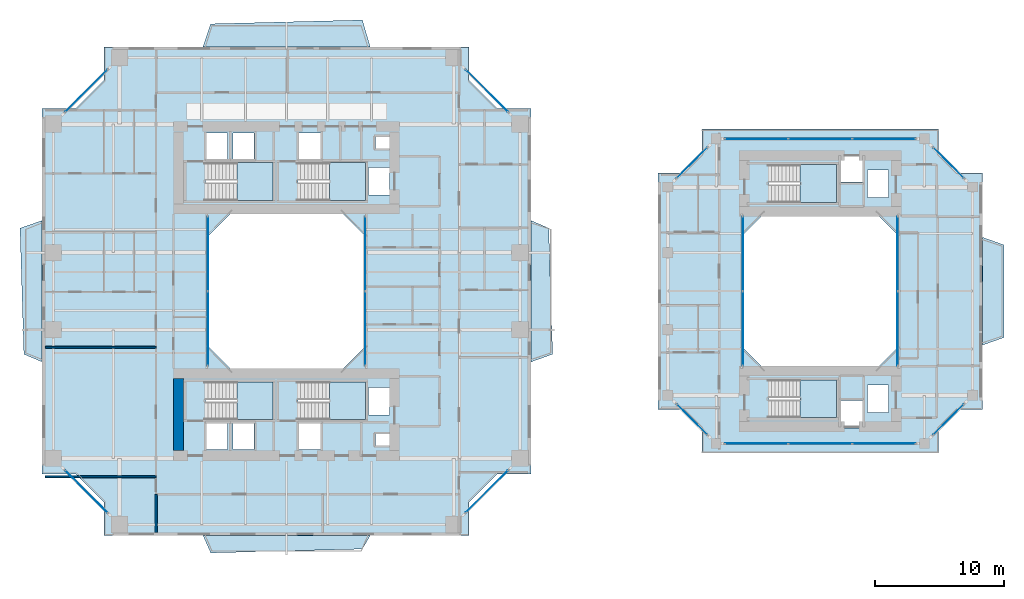
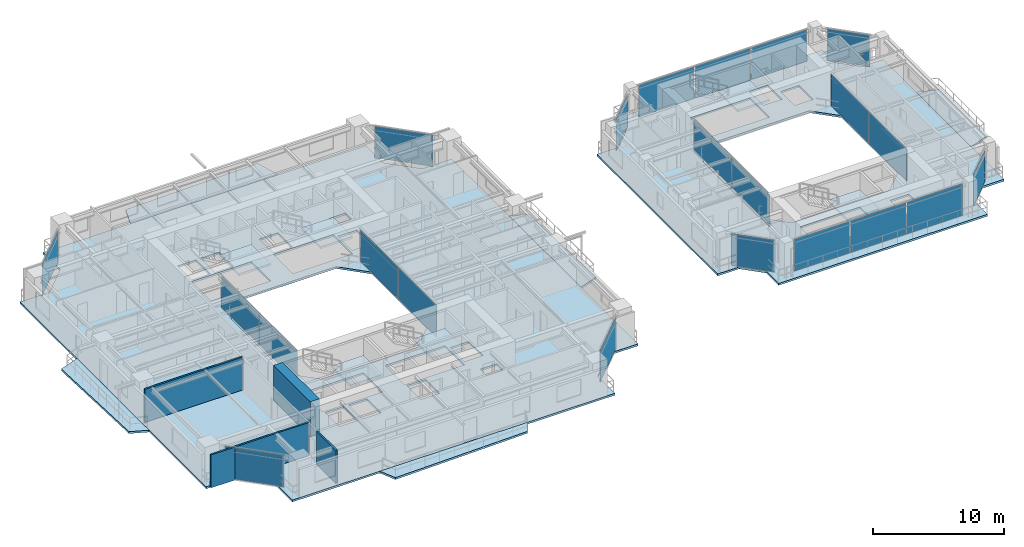
# One storey, part 12 of 23: 22 plates, 13 slabs, 4 walls, 20 elements without a shape of their own.
"""IFC4 building model written with IfcOpenShell, lengths in metres."""

from ifc_helpers import new_model, si_unit, direction, frame, frame_2d, origin, origin_2d, place, context, subcontext, project, spatial, polyline, rectangle, outline, extrude, source, transform, mapped, material, layer, layer_set, type_object, element, aggregate, save


model = new_model("IFC4")

# Units and contexts
model_context = context("Model", 3, precision=1e-05, world=origin(), true_north=direction((0.0, 1.0)))
body_context = subcontext(model_context, "Body", "Model", "MODEL_VIEW")
ifc_project = project(units=[si_unit("LENGTHUNIT", "METRE"), si_unit("AREAUNIT", "SQUARE_METRE"), si_unit("VOLUMEUNIT", "CUBIC_METRE"), si_unit("PLANEANGLEUNIT", "RADIAN"), si_unit("MASSUNIT", "GRAM", prefix="KILO"), si_unit("THERMODYNAMICTEMPERATUREUNIT", "KELVIN"), si_unit("POWERUNIT", "WATT")], contexts=[model_context])

# Site, building, storey
site_placement = place(None, origin())
site = spatial("IfcSite", under=ifc_project, at=site_placement, CompositionType="ELEMENT")
building_placement = place(site_placement, origin())
building = spatial("IfcBuilding", under=site, at=building_placement, Name="Qiaomeng Ring Towers", CompositionType="ELEMENT")
storey_placement = place(building_placement, frame((0.0, 0.0, 79.5)))
storey = spatial("IfcBuildingStorey", under=building, at=storey_placement, Name="L22", CompositionType="ELEMENT", Elevation=79.5)

# Slabs
ifc_material_1 = material(Name="Concrete C40", Category="concrete")
ifc_layer_1 = layer(ifc_material_1, 0.179931640625, Name="Concrete C40")
ifc_layer_set_1 = layer_set([ifc_layer_1], Name="Concrete C40")
slab_type_1 = type_object("IfcSlabType", Name="STR-SL-180", PredefinedType="FLOOR", material=ifc_layer_set_1)
slab_1_placement = place(storey_placement, frame((0.0, 0.0, -0.179931640625)))
element("IfcSlab", 1, at=slab_1_placement, inside=storey, type_object=slab_type_1, Name="L22 Tower 1 Annular Floor Slab", PredefinedType="FLOOR", context=body_context, shape_type="SweptSolid", body=[
    extrude(outline(polyline([(4.800048828125, 4.0), (33.199951171875, 4.0), (33.199951171875, 6.60009765625), (35.39990234375, 8.800048828125), (38.0, 8.800048828125), (38.0, 37.199951171875), (35.39990234375, 37.199951171875), (33.199951171875, 39.39990234375), (33.199951171875, 42.0), (4.800048828125, 42.0), (4.800048828125, 39.39990234375), (2.60009765625, 37.199951171875), (0.0, 37.199951171875), (0.0, 8.800048828125), (2.60009765625, 8.800048828125), (4.800048828125, 6.60009765625), (4.800048828125, 4.0)]), holes=[polyline([(12.780029296875, 10.679931640625), (12.780029296875, 12.820068359375), (14.419921875, 12.820068359375), (14.419921875, 10.679931640625), (12.780029296875, 10.679931640625)]), polyline([(14.830078125, 12.820068359375), (16.469970703125, 12.820068359375), (16.469970703125, 10.679931640625), (14.830078125, 10.679931640625), (14.830078125, 12.820068359375)]), polyline([(12.679931640625, 15.949951171875), (17.949951171875, 15.949951171875), (17.949951171875, 13.010009765625), (12.679931640625, 13.010009765625), (12.679931640625, 15.949951171875)]), polyline([(25.199951171875, 27.199951171875), (25.199951171875, 18.800048828125), (23.199951171875, 16.800048828125), (14.800048828125, 16.800048828125), (12.800048828125, 18.800048828125), (12.800048828125, 27.199951171875), (14.800048828125, 29.199951171875), (23.199951171875, 29.199951171875), (25.199951171875, 27.199951171875)]), polyline([(12.679931640625, 32.989990234375), (17.949951171875, 32.989990234375), (17.949951171875, 30.050048828125), (12.679931640625, 30.050048828125), (12.679931640625, 32.989990234375)]), polyline([(12.780029296875, 35.320068359375), (14.419921875, 35.320068359375), (14.419921875, 33.179931640625), (12.780029296875, 33.179931640625), (12.780029296875, 35.320068359375)]), polyline([(14.830078125, 35.320068359375), (16.469970703125, 35.320068359375), (16.469970703125, 33.179931640625), (14.830078125, 33.179931640625), (14.830078125, 35.320068359375)]), polyline([(19.97998046875, 35.320068359375), (21.6201171875, 35.320068359375), (21.6201171875, 33.179931640625), (19.97998046875, 33.179931640625), (19.97998046875, 35.320068359375)]), polyline([(25.919921875, 11.89990234375), (27.360107421875, 11.89990234375), (27.360107421875, 11.0), (25.919921875, 11.0), (25.919921875, 11.89990234375)]), polyline([(19.97998046875, 12.820068359375), (21.6201171875, 12.820068359375), (21.6201171875, 10.679931640625), (19.97998046875, 10.679931640625), (19.97998046875, 12.820068359375)]), polyline([(25.360107421875, 15.52001953125), (27.0, 15.52001953125), (27.0, 13.3798828125), (25.360107421875, 13.3798828125), (25.360107421875, 15.52001953125)]), polyline([(19.8798828125, 15.949951171875), (25.14990234375, 15.949951171875), (25.14990234375, 13.010009765625), (19.8798828125, 13.010009765625), (19.8798828125, 15.949951171875)]), polyline([(19.8798828125, 32.989990234375), (25.14990234375, 32.989990234375), (25.14990234375, 30.050048828125), (19.8798828125, 30.050048828125), (19.8798828125, 32.989990234375)]), polyline([(25.360107421875, 32.6201171875), (27.0, 32.6201171875), (27.0, 30.47998046875), (25.360107421875, 30.47998046875), (25.360107421875, 32.6201171875)]), polyline([(25.919921875, 35.0), (27.360107421875, 35.0), (27.360107421875, 34.10009765625), (25.919921875, 34.10009765625), (25.919921875, 35.0)])]), origin(), (0.0, 0.0, 1.0), 0.179931640625),
])
slab_2_placement = place(storey_placement, frame((0.0, 0.0, -0.179931640625)))
element("IfcSlab", 2, at=slab_2_placement, inside=storey, type_object=slab_type_1, Name="L22 Companion Tower 2 Annular Floor Slab", PredefinedType="FLOOR", context=body_context, shape_type="SweptSolid", body=[
    extrude(outline(polyline([(51.300048828125, 10.39990234375), (69.699951171875, 10.39990234375), (69.699951171875, 12.300048828125), (71.199951171875, 13.800048828125), (73.10009765625, 13.800048828125), (73.10009765625, 32.199951171875), (71.199951171875, 32.199951171875), (69.699951171875, 33.699951171875), (69.699951171875, 35.60009765625), (51.300048828125, 35.60009765625), (51.300048828125, 33.699951171875), (49.800048828125, 32.199951171875), (47.89990234375, 32.199951171875), (47.89990234375, 13.800048828125), (49.800048828125, 13.800048828125), (51.300048828125, 12.300048828125), (51.300048828125, 10.39990234375)]), holes=[polyline([(62.1298828125, 12.3798828125), (62.1298828125, 14.52001953125), (63.77001953125, 14.52001953125), (63.77001953125, 12.3798828125), (62.1298828125, 12.3798828125)]), polyline([(56.47998046875, 13.159912109375), (56.47998046875, 16.10009765625), (61.75, 16.10009765625), (61.75, 13.159912109375), (56.47998046875, 13.159912109375)]), polyline([(64.179931640625, 13.580078125), (64.179931640625, 15.719970703125), (65.820068359375, 15.719970703125), (65.820068359375, 13.580078125), (64.179931640625, 13.580078125)]), polyline([(64.800048828125, 29.10009765625), (66.60009765625, 27.300048828125), (66.60009765625, 18.699951171875), (64.800048828125, 16.89990234375), (56.199951171875, 16.89990234375), (54.39990234375, 18.699951171875), (54.39990234375, 27.300048828125), (56.199951171875, 29.10009765625), (64.800048828125, 29.10009765625)]), polyline([(64.179931640625, 30.280029296875), (64.179931640625, 32.419921875), (65.820068359375, 32.419921875), (65.820068359375, 30.280029296875), (64.179931640625, 30.280029296875)]), polyline([(56.47998046875, 32.840087890625), (61.75, 32.840087890625), (61.75, 29.89990234375), (56.47998046875, 29.89990234375), (56.47998046875, 32.840087890625)]), polyline([(62.1298828125, 33.6201171875), (63.77001953125, 33.6201171875), (63.77001953125, 31.47998046875), (62.1298828125, 31.47998046875), (62.1298828125, 33.6201171875)])]), origin(), (0.0, 0.0, 1.0), 0.179931640625),
])
ifc_layer_2 = layer(ifc_material_1, 0.179931640625, Name="Concrete C40")
ifc_layer_set_2 = layer_set([ifc_layer_2], Name="Concrete C40")
slab_type_2 = type_object("IfcSlabType", Name="STR-SL-BAL", PredefinedType="FLOOR", material=ifc_layer_set_2)
slab_3_placement = place(storey_placement, frame((0.0, 0.0, -0.179931640625)))
element("IfcSlab", 3, at=slab_3_placement, inside=storey, type_object=slab_type_2, Name="L22 Tower 1 S Faceted Balcony Slab", PredefinedType="FLOOR", context=body_context, shape_type="SweptSolid", body=[
    extrude(outline(polyline([(24.89990234375, 2.949951171875), (13.10009765625, 2.64990234375), (12.5, 4.0), (25.5, 4.0), (24.89990234375, 2.949951171875)])), origin(), (0.0, 0.0, 1.0), 0.179931640625),
])
slab_4_placement = place(storey_placement, frame((0.0, 0.0, -0.179931640625)))
element("IfcSlab", 4, at=slab_4_placement, inside=storey, type_object=slab_type_2, Name="L22 Tower 1 E Faceted Balcony Slab", PredefinedType="FLOOR", context=body_context, shape_type="SweptSolid", body=[
    extrude(outline(polyline([(39.389892578125, 27.89990234375), (39.68994140625, 18.10009765625), (38.0, 17.5), (38.0, 28.5), (39.389892578125, 27.89990234375)])), origin(), (0.0, 0.0, 1.0), 0.179931640625),
])
slab_5_placement = place(storey_placement, frame((0.0, 0.0, -0.179931640625)))
element("IfcSlab", 5, at=slab_5_placement, inside=storey, type_object=slab_type_2, Name="L22 Tower 1 N Faceted Balcony Slab", PredefinedType="FLOOR", context=body_context, shape_type="SweptSolid", body=[
    extrude(outline(polyline([(12.5, 42.0), (13.10009765625, 43.7900390625), (24.89990234375, 44.090087890625), (25.5, 42.0), (12.5, 42.0)])), origin(), (0.0, 0.0, 1.0), 0.179931640625),
])
slab_6_placement = place(storey_placement, frame((0.0, 0.0, -0.179931640625)))
element("IfcSlab", 6, at=slab_6_placement, inside=storey, type_object=slab_type_2, Name="L22 Tower 1 W Faceted Balcony Slab", PredefinedType="FLOOR", context=body_context, shape_type="SweptSolid", body=[
    extrude(outline(polyline([(0.0, 17.5), (-1.429931640625, 18.10009765625), (-1.72998046875, 27.89990234375), (0.0, 28.5), (0.0, 17.5)])), origin(), (0.0, 0.0, 1.0), 0.179931640625),
])
slab_7_placement = place(storey_placement, frame((0.0, 0.0, -0.179931640625)))
element("IfcSlab", 7, at=slab_7_placement, inside=storey, type_object=slab_type_2, Name="L22 Companion East Faceted Balcony Slab", PredefinedType="FLOOR", context=body_context, shape_type="SweptSolid", body=[
    extrude(outline(polyline([(74.7900390625, 26.60009765625), (74.7900390625, 19.39990234375), (73.10009765625, 18.800048828125), (73.10009765625, 27.199951171875), (74.7900390625, 26.60009765625)])), origin(), (0.0, 0.0, 1.0), 0.179931640625),
])

# Stair, slab
ifc_material_2 = material(Name="Precast concrete C40", Category="concrete")
stair_type = type_object("IfcStairType", Name="ARC-ST-325", PredefinedType="HALF_TURN_STAIR", material=ifc_material_2)
stair_1_placement = place(storey_placement, origin())
stair_1 = element("IfcStair", 8, at=stair_1_placement, inside=storey, type_object=stair_type, Name="L22 Tower 1 North Stair 1", PredefinedType="HALF_TURN_STAIR")
ifc_layer_3 = layer(ifc_material_1, 0.199951171875, Name="Concrete C40")
ifc_layer_set_3 = layer_set([ifc_layer_3], Name="Concrete C40")
slab_type_3 = type_object("IfcSlabType", Name="STR-SL-LANDING", PredefinedType="LANDING", material=ifc_layer_set_3)
slab_8_placement = place(storey_placement, frame((0.0, 0.0, 1.425048828125)))
slab_8 = element("IfcSlab", 9, at=slab_8_placement, type_object=slab_type_3, Name="ST1 landing 1", PredefinedType="LANDING", context=body_context, shape_type="SweptSolid", body=[
    extrude(outline(polyline([(15.139892578125, 30.050048828125), (17.949951171875, 30.050048828125), (17.949951171875, 32.989990234375), (15.139892578125, 32.989990234375), (15.139892578125, 30.050048828125)])), origin(), (0.0, 0.0, 1.0), 0.199951171875),
])
aggregate(stair_1, [slab_8])

stair_2_placement = place(storey_placement, origin())
stair_2 = element("IfcStair", 10, at=stair_2_placement, inside=storey, type_object=stair_type, Name="L22 Tower 1 North Stair 2", PredefinedType="HALF_TURN_STAIR")
slab_9_placement = place(storey_placement, frame((0.0, 0.0, 1.425048828125)))
slab_9 = element("IfcSlab", 11, at=slab_9_placement, type_object=slab_type_3, Name="ST2 landing 1", PredefinedType="LANDING", context=body_context, shape_type="SweptSolid", body=[
    extrude(outline(polyline([(22.340087890625, 30.050048828125), (25.14990234375, 30.050048828125), (25.14990234375, 32.989990234375), (22.340087890625, 32.989990234375), (22.340087890625, 30.050048828125)])), origin(), (0.0, 0.0, 1.0), 0.199951171875),
])
aggregate(stair_2, [slab_9])

stair_3_placement = place(storey_placement, origin())
stair_3 = element("IfcStair", 12, at=stair_3_placement, inside=storey, type_object=stair_type, Name="L22 Tower 1 South Stair 3", PredefinedType="HALF_TURN_STAIR")
slab_10_placement = place(storey_placement, frame((0.0, 0.0, 1.425048828125)))
slab_10 = element("IfcSlab", 13, at=slab_10_placement, type_object=slab_type_3, Name="ST3 landing 1", PredefinedType="LANDING", context=body_context, shape_type="SweptSolid", body=[
    extrude(outline(polyline([(15.139892578125, 13.010009765625), (17.949951171875, 13.010009765625), (17.949951171875, 15.949951171875), (15.139892578125, 15.949951171875), (15.139892578125, 13.010009765625)])), origin(), (0.0, 0.0, 1.0), 0.199951171875),
])
aggregate(stair_3, [slab_10])

stair_4_placement = place(storey_placement, origin())
stair_4 = element("IfcStair", 14, at=stair_4_placement, inside=storey, type_object=stair_type, Name="L22 Tower 1 South Stair 4", PredefinedType="HALF_TURN_STAIR")
slab_11_placement = place(storey_placement, frame((0.0, 0.0, 1.425048828125)))
slab_11 = element("IfcSlab", 15, at=slab_11_placement, type_object=slab_type_3, Name="ST4 landing 1", PredefinedType="LANDING", context=body_context, shape_type="SweptSolid", body=[
    extrude(outline(polyline([(22.340087890625, 13.010009765625), (25.14990234375, 13.010009765625), (25.14990234375, 15.949951171875), (22.340087890625, 15.949951171875), (22.340087890625, 13.010009765625)])), origin(), (0.0, 0.0, 1.0), 0.199951171875),
])
aggregate(stair_4, [slab_11])

stair_5_placement = place(storey_placement, origin())
stair_5 = element("IfcStair", 16, at=stair_5_placement, inside=storey, type_object=stair_type, Name="L22 Companion North Stair 5", PredefinedType="HALF_TURN_STAIR")
slab_12_placement = place(storey_placement, frame((0.0, 0.0, 1.425048828125)))
slab_12 = element("IfcSlab", 17, at=slab_12_placement, type_object=slab_type_3, Name="ST5 landing 1", PredefinedType="LANDING", context=body_context, shape_type="SweptSolid", body=[
    extrude(outline(polyline([(58.93994140625, 29.89990234375), (61.75, 29.89990234375), (61.75, 32.840087890625), (58.93994140625, 32.840087890625), (58.93994140625, 29.89990234375)])), origin(), (0.0, 0.0, 1.0), 0.199951171875),
])
aggregate(stair_5, [slab_12])

stair_6_placement = place(storey_placement, origin())
stair_6 = element("IfcStair", 18, at=stair_6_placement, inside=storey, type_object=stair_type, Name="L22 Companion South Stair 6", PredefinedType="HALF_TURN_STAIR")
slab_13_placement = place(storey_placement, frame((0.0, 0.0, 1.425048828125)))
slab_13 = element("IfcSlab", 19, at=slab_13_placement, type_object=slab_type_3, Name="ST6 landing 1", PredefinedType="LANDING", context=body_context, shape_type="SweptSolid", body=[
    extrude(outline(polyline([(58.93994140625, 13.159912109375), (61.75, 13.159912109375), (61.75, 16.10009765625), (58.93994140625, 16.10009765625), (58.93994140625, 13.159912109375)])), origin(), (0.0, 0.0, 1.0), 0.199951171875),
])
aggregate(stair_6, [slab_13])

# Curtain wall, plates
ifc_material_3 = material(Name="Fluorocarbon dark-grey aluminium", Category="aluminium")
ifc_layer_4 = layer(ifc_material_3, 0.139892578125, Name="Fluorocarbon dark-grey aluminium")
ifc_layer_set_4 = layer_set([ifc_layer_4], Name="Fluorocarbon dark-grey aluminium")
curtain_wall_type_1 = type_object("IfcCurtainWallType", Name="ARC-CW-4", PredefinedType="NOTDEFINED", material=ifc_layer_set_4)
curtain_wall_1_placement = place(storey_placement, origin())
curtain_wall_1 = element("IfcCurtainWall", 20, at=curtain_wall_1_placement, inside=storey, type_object=curtain_wall_type_1, Name="L22 Curtain Wall CW4", PredefinedType="NOTDEFINED")
ifc_material_4 = material(Name="Low-E dark-grey laminated double glazing", Category="glass")
ifc_layer_5 = layer(ifc_material_4, 0.028076171875, Name="Low-E dark-grey laminated double glazing")
ifc_layer_set_5 = layer_set([ifc_layer_5], Name="Low-E dark-grey laminated double glazing")
plate_type = type_object("IfcPlateType", Name="ARC-CWP-DARK", PredefinedType="CURTAIN_PANEL", material=ifc_layer_set_5)
shared_shape_1 = source(origin(), body_context, "Body", "SweptSolid", [
    extrude(rectangle(XDim=5.75244140625, YDim=0.028076171875, at=origin_2d()), origin(), (0.0, 0.0, 1.0), 2.93994140625),
])
plate_1_placement = place(storey_placement, frame((12.8798828125, 20.09130859375, 0.06494140625), z_axis=(0.0, 0.0, 1.0), x_axis=(0.0, 1.0, 0.0)))
plate_1 = element("IfcPlate", 21, at=plate_1_placement, type_object=plate_type, Name="CW4 panel 1.1", PredefinedType="CURTAIN_PANEL", context=body_context, shape_type="MappedRepresentation", body=[
    mapped(shared_shape_1, transform((0.0, 0.0, 0.0), x_axis=(1.0, 0.0, 0.0), y_axis=(0.0, 1.0, 0.0), z_axis=(0.0, 0.0, 1.0), scale=1.0)),
])
plate_2_placement = place(storey_placement, frame((12.8798828125, 25.90869140625, 0.06494140625), z_axis=(0.0, 0.0, 1.0), x_axis=(0.0, 1.0, 0.0)))
plate_2 = element("IfcPlate", 22, at=plate_2_placement, type_object=plate_type, Name="CW4 panel 2.1", PredefinedType="CURTAIN_PANEL", context=body_context, shape_type="MappedRepresentation", body=[
    mapped(shared_shape_1, transform((0.0, 0.0, 0.0), x_axis=(1.0, 0.0, 0.0), y_axis=(0.0, 1.0, 0.0), z_axis=(0.0, 0.0, 1.0), scale=1.0)),
])
aggregate(curtain_wall_1, [plate_1, plate_2])

curtain_wall_2_placement = place(storey_placement, origin())
curtain_wall_2 = element("IfcCurtainWall", 23, at=curtain_wall_2_placement, inside=storey, type_object=curtain_wall_type_1, Name="L22 Curtain Wall CW4", PredefinedType="NOTDEFINED")
plate_3_placement = place(storey_placement, frame((25.1201171875, 20.09130859375, 0.06494140625), z_axis=(0.0, 0.0, 1.0), x_axis=(0.0, 1.0, 0.0)))
plate_3 = element("IfcPlate", 24, at=plate_3_placement, type_object=plate_type, Name="CW4 panel 1.1", PredefinedType="CURTAIN_PANEL", context=body_context, shape_type="MappedRepresentation", body=[
    mapped(shared_shape_1, transform((0.0, 0.0, 0.0), x_axis=(1.0, 0.0, 0.0), y_axis=(0.0, 1.0, 0.0), z_axis=(0.0, 0.0, 1.0), scale=1.0)),
])
plate_4_placement = place(storey_placement, frame((25.1201171875, 25.90869140625, 0.06494140625), z_axis=(0.0, 0.0, 1.0), x_axis=(0.0, 1.0, 0.0)))
plate_4 = element("IfcPlate", 25, at=plate_4_placement, type_object=plate_type, Name="CW4 panel 2.1", PredefinedType="CURTAIN_PANEL", context=body_context, shape_type="MappedRepresentation", body=[
    mapped(shared_shape_1, transform((0.0, 0.0, 0.0), x_axis=(1.0, 0.0, 0.0), y_axis=(0.0, 1.0, 0.0), z_axis=(0.0, 0.0, 1.0), scale=1.0)),
])
aggregate(curtain_wall_2, [plate_3, plate_4])

curtain_wall_3_placement = place(storey_placement, origin())
curtain_wall_3 = element("IfcCurtainWall", 26, at=curtain_wall_3_placement, inside=storey, type_object=curtain_wall_type_1, Name="L22 Curtain Wall CW4", PredefinedType="NOTDEFINED")
plate_5_placement = place(storey_placement, frame((54.47998046875, 20.09130859375, 0.06494140625), z_axis=(0.0, 0.0, 1.0), x_axis=(0.0, 1.0, 0.0)))
plate_5 = element("IfcPlate", 27, at=plate_5_placement, type_object=plate_type, Name="CW4 panel 1.1", PredefinedType="CURTAIN_PANEL", context=body_context, shape_type="MappedRepresentation", body=[
    mapped(shared_shape_1, transform((0.0, 0.0, 0.0), x_axis=(1.0, 0.0, 0.0), y_axis=(0.0, 1.0, 0.0), z_axis=(0.0, 0.0, 1.0), scale=1.0)),
])
plate_6_placement = place(storey_placement, frame((54.47998046875, 25.90869140625, 0.06494140625), z_axis=(0.0, 0.0, 1.0), x_axis=(0.0, 1.0, 0.0)))
plate_6 = element("IfcPlate", 28, at=plate_6_placement, type_object=plate_type, Name="CW4 panel 2.1", PredefinedType="CURTAIN_PANEL", context=body_context, shape_type="MappedRepresentation", body=[
    mapped(shared_shape_1, transform((0.0, 0.0, 0.0), x_axis=(1.0, 0.0, 0.0), y_axis=(0.0, 1.0, 0.0), z_axis=(0.0, 0.0, 1.0), scale=1.0)),
])
aggregate(curtain_wall_3, [plate_5, plate_6])

curtain_wall_4_placement = place(storey_placement, origin())
curtain_wall_4 = element("IfcCurtainWall", 29, at=curtain_wall_4_placement, inside=storey, type_object=curtain_wall_type_1, Name="L22 Curtain Wall CW4", PredefinedType="NOTDEFINED")
plate_7_placement = place(storey_placement, frame((66.52001953125, 20.09130859375, 0.06494140625), z_axis=(0.0, 0.0, 1.0), x_axis=(0.0, 1.0, 0.0)))
plate_7 = element("IfcPlate", 30, at=plate_7_placement, type_object=plate_type, Name="CW4 panel 1.1", PredefinedType="CURTAIN_PANEL", context=body_context, shape_type="MappedRepresentation", body=[
    mapped(shared_shape_1, transform((0.0, 0.0, 0.0), x_axis=(1.0, 0.0, 0.0), y_axis=(0.0, 1.0, 0.0), z_axis=(0.0, 0.0, 1.0), scale=1.0)),
])
plate_8_placement = place(storey_placement, frame((66.52001953125, 25.90869140625, 0.06494140625), z_axis=(0.0, 0.0, 1.0), x_axis=(0.0, 1.0, 0.0)))
plate_8 = element("IfcPlate", 31, at=plate_8_placement, type_object=plate_type, Name="CW4 panel 2.1", PredefinedType="CURTAIN_PANEL", context=body_context, shape_type="MappedRepresentation", body=[
    mapped(shared_shape_1, transform((0.0, 0.0, 0.0), x_axis=(1.0, 0.0, 0.0), y_axis=(0.0, 1.0, 0.0), z_axis=(0.0, 0.0, 1.0), scale=1.0)),
])
aggregate(curtain_wall_4, [plate_7, plate_8])

# Curtain wall, plate
ifc_layer_6 = layer(ifc_material_3, 0.159912109375, Name="Fluorocarbon dark-grey aluminium")
ifc_layer_set_6 = layer_set([ifc_layer_6], Name="Fluorocarbon dark-grey aluminium")
curtain_wall_type_2 = type_object("IfcCurtainWallType", Name="ARC-CW-2", PredefinedType="NOTDEFINED", material=ifc_layer_set_6)
curtain_wall_5_placement = place(storey_placement, origin())
curtain_wall_5 = element("IfcCurtainWall", 32, at=curtain_wall_5_placement, inside=storey, type_object=curtain_wall_type_2, Name="L22 Curtain Wall CW2", PredefinedType="NOTDEFINED")
shared_shape_2 = source(origin(), body_context, "Body", "SweptSolid", [
    extrude(rectangle(XDim=4.6259765625, YDim=0.028076171875, at=origin_2d()), origin(), (0.0, 0.0, 1.0), 2.93994140625),
])
plate_9_placement = place(storey_placement, frame((34.574951171875, 7.425048828125, 0.06494140625), z_axis=(0.0, 0.0, 1.0), x_axis=(0.707106781187, 0.707106781187, 0.0)))
plate_9 = element("IfcPlate", 33, at=plate_9_placement, type_object=plate_type, Name="CW2 panel 1.1", PredefinedType="CURTAIN_PANEL", context=body_context, shape_type="MappedRepresentation", body=[
    mapped(shared_shape_2, transform((0.0, 0.0, 0.0), x_axis=(1.0, 0.0, 0.0), y_axis=(0.0, 1.0, 0.0), z_axis=(0.0, 0.0, 1.0), scale=1.0)),
])
aggregate(curtain_wall_5, [plate_9])

curtain_wall_6_placement = place(storey_placement, origin())
curtain_wall_6 = element("IfcCurtainWall", 34, at=curtain_wall_6_placement, inside=storey, type_object=curtain_wall_type_2, Name="L22 Curtain Wall CW2", PredefinedType="NOTDEFINED")
plate_10_placement = place(storey_placement, frame((34.574951171875, 38.574951171875, 0.06494140625), z_axis=(0.0, 0.0, 1.0), x_axis=(-0.707106781187, 0.707106781187, 0.0)))
plate_10 = element("IfcPlate", 35, at=plate_10_placement, type_object=plate_type, Name="CW2 panel 1.1", PredefinedType="CURTAIN_PANEL", context=body_context, shape_type="MappedRepresentation", body=[
    mapped(shared_shape_2, transform((0.0, 0.0, 0.0), x_axis=(1.0, 0.0, 0.0), y_axis=(0.0, 1.0, 0.0), z_axis=(0.0, 0.0, 1.0), scale=1.0)),
])
aggregate(curtain_wall_6, [plate_10])

curtain_wall_7_placement = place(storey_placement, origin())
curtain_wall_7 = element("IfcCurtainWall", 36, at=curtain_wall_7_placement, inside=storey, type_object=curtain_wall_type_2, Name="L22 Curtain Wall CW2", PredefinedType="NOTDEFINED")
plate_11_placement = place(storey_placement, frame((3.425048828125, 38.574951171875, 0.06494140625), z_axis=(0.0, 0.0, 1.0), x_axis=(-0.707106781187, -0.707106781187, 0.0)))
plate_11 = element("IfcPlate", 37, at=plate_11_placement, type_object=plate_type, Name="CW2 panel 1.1", PredefinedType="CURTAIN_PANEL", context=body_context, shape_type="MappedRepresentation", body=[
    mapped(shared_shape_2, transform((0.0, 0.0, 0.0), x_axis=(1.0, 0.0, 0.0), y_axis=(0.0, 1.0, 0.0), z_axis=(0.0, 0.0, 1.0), scale=1.0)),
])
aggregate(curtain_wall_7, [plate_11])

curtain_wall_8_placement = place(storey_placement, origin())
curtain_wall_8 = element("IfcCurtainWall", 38, at=curtain_wall_8_placement, inside=storey, type_object=curtain_wall_type_2, Name="L22 Curtain Wall CW2", PredefinedType="NOTDEFINED")
plate_12_placement = place(storey_placement, frame((3.425048828125, 7.425048828125, 0.06494140625), z_axis=(0.0, 0.0, 1.0), x_axis=(0.707106781187, -0.707106781187, 0.0)))
plate_12 = element("IfcPlate", 39, at=plate_12_placement, type_object=plate_type, Name="CW2 panel 1.1", PredefinedType="CURTAIN_PANEL", context=body_context, shape_type="MappedRepresentation", body=[
    mapped(shared_shape_2, transform((0.0, 0.0, 0.0), x_axis=(1.0, 0.0, 0.0), y_axis=(0.0, 1.0, 0.0), z_axis=(0.0, 0.0, 1.0), scale=1.0)),
])
aggregate(curtain_wall_8, [plate_12])

# Curtain wall, plates
ifc_layer_7 = layer(ifc_material_3, 0.14990234375, Name="Fluorocarbon dark-grey aluminium")
ifc_layer_set_7 = layer_set([ifc_layer_7], Name="Fluorocarbon dark-grey aluminium")
curtain_wall_type_3 = type_object("IfcCurtainWallType", Name="ARC-CW-5", PredefinedType="NOTDEFINED", material=ifc_layer_set_7)
curtain_wall_9_placement = place(storey_placement, origin())
curtain_wall_9 = element("IfcCurtainWall", 40, at=curtain_wall_9_placement, inside=storey, type_object=curtain_wall_type_3, Name="L22 Curtain Wall CW5", PredefinedType="NOTDEFINED")
shared_shape_3 = source(origin(), body_context, "Body", "SweptSolid", [
    extrude(rectangle(XDim=4.868408203125, YDim=0.028076171875, at=origin_2d()), origin(), (0.0, 0.0, 1.0), 2.93994140625),
])
plate_13_placement = place(storey_placement, frame((55.544189453125, 34.85009765625, 0.06494140625), z_axis=(0.0, 0.0, 1.0), x_axis=(1.0, 0.0, 0.0)))
plate_13 = element("IfcPlate", 41, at=plate_13_placement, type_object=plate_type, Name="CW5 panel 1.1", PredefinedType="CURTAIN_PANEL", context=body_context, shape_type="MappedRepresentation", body=[
    mapped(shared_shape_3, transform((0.0, 0.0, 0.0), x_axis=(1.0, 0.0, 0.0), y_axis=(0.0, 1.0, 0.0), z_axis=(0.0, 0.0, 1.0), scale=1.0)),
])
plate_14_placement = place(storey_placement, frame((65.455810546875, 34.85009765625, 0.06494140625), z_axis=(0.0, 0.0, 1.0), x_axis=(1.0, 0.0, 0.0)))
plate_14 = element("IfcPlate", 42, at=plate_14_placement, type_object=plate_type, Name="CW5 panel 3.1", PredefinedType="CURTAIN_PANEL", context=body_context, shape_type="MappedRepresentation", body=[
    mapped(shared_shape_3, transform((0.0, 0.0, 0.0), x_axis=(1.0, 0.0, 0.0), y_axis=(0.0, 1.0, 0.0), z_axis=(0.0, 0.0, 1.0), scale=1.0)),
])

curtain_wall_10_placement = place(storey_placement, origin())
curtain_wall_10 = element("IfcCurtainWall", 43, at=curtain_wall_10_placement, inside=storey, type_object=curtain_wall_type_3, Name="L22 Curtain Wall CW5", PredefinedType="NOTDEFINED")
plate_15_placement = place(storey_placement, frame((55.544189453125, 11.14990234375, 0.06494140625), z_axis=(0.0, 0.0, 1.0), x_axis=(1.0, 0.0, 0.0)))
plate_15 = element("IfcPlate", 44, at=plate_15_placement, type_object=plate_type, Name="CW5 panel 1.1", PredefinedType="CURTAIN_PANEL", context=body_context, shape_type="MappedRepresentation", body=[
    mapped(shared_shape_3, transform((0.0, 0.0, 0.0), x_axis=(1.0, 0.0, 0.0), y_axis=(0.0, 1.0, 0.0), z_axis=(0.0, 0.0, 1.0), scale=1.0)),
])
plate_16_placement = place(storey_placement, frame((65.455810546875, 11.14990234375, 0.06494140625), z_axis=(0.0, 0.0, 1.0), x_axis=(1.0, 0.0, 0.0)))
plate_16 = element("IfcPlate", 45, at=plate_16_placement, type_object=plate_type, Name="CW5 panel 3.1", PredefinedType="CURTAIN_PANEL", context=body_context, shape_type="MappedRepresentation", body=[
    mapped(shared_shape_3, transform((0.0, 0.0, 0.0), x_axis=(1.0, 0.0, 0.0), y_axis=(0.0, 1.0, 0.0), z_axis=(0.0, 0.0, 1.0), scale=1.0)),
])

# Plate
shared_shape_4 = source(origin(), body_context, "Body", "SweptSolid", [
    extrude(rectangle(XDim=4.9033203125, YDim=0.028076171875, at=origin_2d()), origin(), (0.0, 0.0, 1.0), 2.93994140625),
])
plate_17_placement = place(storey_placement, frame((60.5, 34.85009765625, 0.06494140625), z_axis=(0.0, 0.0, 1.0), x_axis=(1.0, 0.0, 0.0)))
plate_17 = element("IfcPlate", 46, at=plate_17_placement, type_object=plate_type, Name="CW5 panel 2.1", PredefinedType="CURTAIN_PANEL", context=body_context, shape_type="MappedRepresentation", body=[
    mapped(shared_shape_4, transform((0.0, 0.0, 0.0), x_axis=(1.0, 0.0, 0.0), y_axis=(0.0, 1.0, 0.0), z_axis=(0.0, 0.0, 1.0), scale=1.0)),
])

aggregate(curtain_wall_9, [plate_13, plate_17, plate_14])

plate_18_placement = place(storey_placement, frame((60.5, 11.14990234375, 0.06494140625), z_axis=(0.0, 0.0, 1.0), x_axis=(1.0, 0.0, 0.0)))
plate_18 = element("IfcPlate", 47, at=plate_18_placement, type_object=plate_type, Name="CW5 panel 2.1", PredefinedType="CURTAIN_PANEL", context=body_context, shape_type="MappedRepresentation", body=[
    mapped(shared_shape_4, transform((0.0, 0.0, 0.0), x_axis=(1.0, 0.0, 0.0), y_axis=(0.0, 1.0, 0.0), z_axis=(0.0, 0.0, 1.0), scale=1.0)),
])

aggregate(curtain_wall_10, [plate_15, plate_18, plate_16])

# Curtain wall, plate
curtain_wall_11_placement = place(storey_placement, origin())
curtain_wall_11 = element("IfcCurtainWall", 48, at=curtain_wall_11_placement, inside=storey, type_object=curtain_wall_type_3, Name="L22 Curtain Wall CW5", PredefinedType="NOTDEFINED")
shared_shape_5 = source(origin(), body_context, "Body", "SweptSolid", [
    extrude(rectangle(XDim=3.35302734375, YDim=0.028076171875, at=origin_2d()), origin(), (0.0, 0.0, 1.0), 2.93994140625),
])
plate_19_placement = place(storey_placement, frame((70.47509765625, 13.02490234375, 0.06494140625), z_axis=(0.0, 0.0, 1.0), x_axis=(0.707106781187, 0.707106781187, 0.0)))
plate_19 = element("IfcPlate", 49, at=plate_19_placement, type_object=plate_type, Name="CW5 panel 1.1", PredefinedType="CURTAIN_PANEL", context=body_context, shape_type="MappedRepresentation", body=[
    mapped(shared_shape_5, transform((0.0, 0.0, 0.0), x_axis=(1.0, 0.0, 0.0), y_axis=(0.0, 1.0, 0.0), z_axis=(0.0, 0.0, 1.0), scale=1.0)),
])
aggregate(curtain_wall_11, [plate_19])

curtain_wall_12_placement = place(storey_placement, origin())
curtain_wall_12 = element("IfcCurtainWall", 50, at=curtain_wall_12_placement, inside=storey, type_object=curtain_wall_type_3, Name="L22 Curtain Wall CW5", PredefinedType="NOTDEFINED")
plate_20_placement = place(storey_placement, frame((70.47509765625, 32.97509765625, 0.06494140625), z_axis=(0.0, 0.0, 1.0), x_axis=(-0.707106781187, 0.707106781187, 0.0)))
plate_20 = element("IfcPlate", 51, at=plate_20_placement, type_object=plate_type, Name="CW5 panel 1.1", PredefinedType="CURTAIN_PANEL", context=body_context, shape_type="MappedRepresentation", body=[
    mapped(shared_shape_5, transform((0.0, 0.0, 0.0), x_axis=(1.0, 0.0, 0.0), y_axis=(0.0, 1.0, 0.0), z_axis=(0.0, 0.0, 1.0), scale=1.0)),
])
aggregate(curtain_wall_12, [plate_20])

curtain_wall_13_placement = place(storey_placement, origin())
curtain_wall_13 = element("IfcCurtainWall", 52, at=curtain_wall_13_placement, inside=storey, type_object=curtain_wall_type_3, Name="L22 Curtain Wall CW5", PredefinedType="NOTDEFINED")
plate_21_placement = place(storey_placement, frame((50.52490234375, 32.97509765625, 0.06494140625), z_axis=(0.0, 0.0, 1.0), x_axis=(-0.707106781187, -0.707106781187, 0.0)))
plate_21 = element("IfcPlate", 53, at=plate_21_placement, type_object=plate_type, Name="CW5 panel 1.1", PredefinedType="CURTAIN_PANEL", context=body_context, shape_type="MappedRepresentation", body=[
    mapped(shared_shape_5, transform((0.0, 0.0, 0.0), x_axis=(1.0, 0.0, 0.0), y_axis=(0.0, 1.0, 0.0), z_axis=(0.0, 0.0, 1.0), scale=1.0)),
])
aggregate(curtain_wall_13, [plate_21])

curtain_wall_14_placement = place(storey_placement, origin())
curtain_wall_14 = element("IfcCurtainWall", 54, at=curtain_wall_14_placement, inside=storey, type_object=curtain_wall_type_3, Name="L22 Curtain Wall CW5", PredefinedType="NOTDEFINED")
plate_22_placement = place(storey_placement, frame((50.52490234375, 13.02490234375, 0.06494140625), z_axis=(0.0, 0.0, 1.0), x_axis=(0.707106781187, -0.707106781187, 0.0)))
plate_22 = element("IfcPlate", 55, at=plate_22_placement, type_object=plate_type, Name="CW5 panel 1.1", PredefinedType="CURTAIN_PANEL", context=body_context, shape_type="MappedRepresentation", body=[
    mapped(shared_shape_5, transform((0.0, 0.0, 0.0), x_axis=(1.0, 0.0, 0.0), y_axis=(0.0, 1.0, 0.0), z_axis=(0.0, 0.0, 1.0), scale=1.0)),
])
aggregate(curtain_wall_14, [plate_22])

# Walls
ifc_material_5 = material(Name="Gypsum fireboard steel-stud partition", Category="steel")
ifc_layer_8 = layer(ifc_material_5, 0.14990234375, Name="Gypsum fireboard steel-stud partition")
ifc_layer_set_8 = layer_set([ifc_layer_8], Name="Gypsum fireboard steel-stud partition")
wall_type_1 = type_object("IfcWallType", Name="ARC-WL-PW3", PredefinedType="PARTITIONING", material=ifc_layer_set_8)
wall_1_placement = place(storey_placement, frame((8.85009765625, 4.25, 0.0), z_axis=(0.0, 0.0, 1.0), x_axis=(0.0, 1.0, 0.0)))
element("IfcWall", 56, at=wall_1_placement, inside=storey, type_object=wall_type_1, Name="L22 Interior Wall PW3", PredefinedType="PARTITIONING", context=body_context, shape_type="SweptSolid", body=[
    extrude(rectangle(XDim=2.9599609375, YDim=0.14990234375, at=frame_2d((1.47998046875, 0.0))), origin(), (0.0, 0.0, 1.0), 3.070068359375),
])
for number, where, z_axis, x_axis, name in (
    (57, (0.25, 8.570068359375, 0.0), (0.0, 0.0, 1.0), (1.0, 0.0, 0.0), "L22 Interior Wall PW3"),
    (58, (0.25, 18.639892578125, 0.0), (0.0, 0.0, 1.0), (1.0, 0.0, 0.0), "L22 Interior Wall PW3"),
):
    element("IfcWall", number, at=place(storey_placement, frame(where, z_axis=z_axis, x_axis=x_axis)), inside=storey, type_object=wall_type_1, Name=name, PredefinedType="PARTITIONING", context=body_context, shape_type="SweptSolid", body=[
        extrude(rectangle(XDim=8.60009765625, YDim=0.14990234375, at=frame_2d((4.300048828125, 0.0))), origin(), (0.0, 0.0, 1.0), 3.070068359375),
    ])
ifc_material_6 = material(Name="Concrete C60", Category="concrete")
ifc_layer_9 = layer(ifc_material_6, 0.800048828125, Name="Concrete C60")
ifc_layer_set_9 = layer_set([ifc_layer_9], Name="Concrete C60")
wall_type_2 = type_object("IfcWallType", Name="STR-WL-SW1", PredefinedType="SHEAR", material=ifc_layer_set_9)
wall_2_placement = place(storey_placement, frame((10.60009765625, 10.60009765625, 0.0), z_axis=(0.0, 0.0, 1.0), x_axis=(0.0, 1.0, 0.0)))
element("IfcWall", 59, at=wall_2_placement, inside=storey, type_object=wall_type_2, Name="L22 T1SC west core shear wall", PredefinedType="SHEAR", context=body_context, shape_type="SweptSolid", body=[
    extrude(rectangle(XDim=5.599853515625, YDim=0.800048828125, at=frame_2d((2.7998046875, 0.0))), origin(), (0.0, 0.0, 1.0), 3.25),
])

save(model, "model.ifc")
